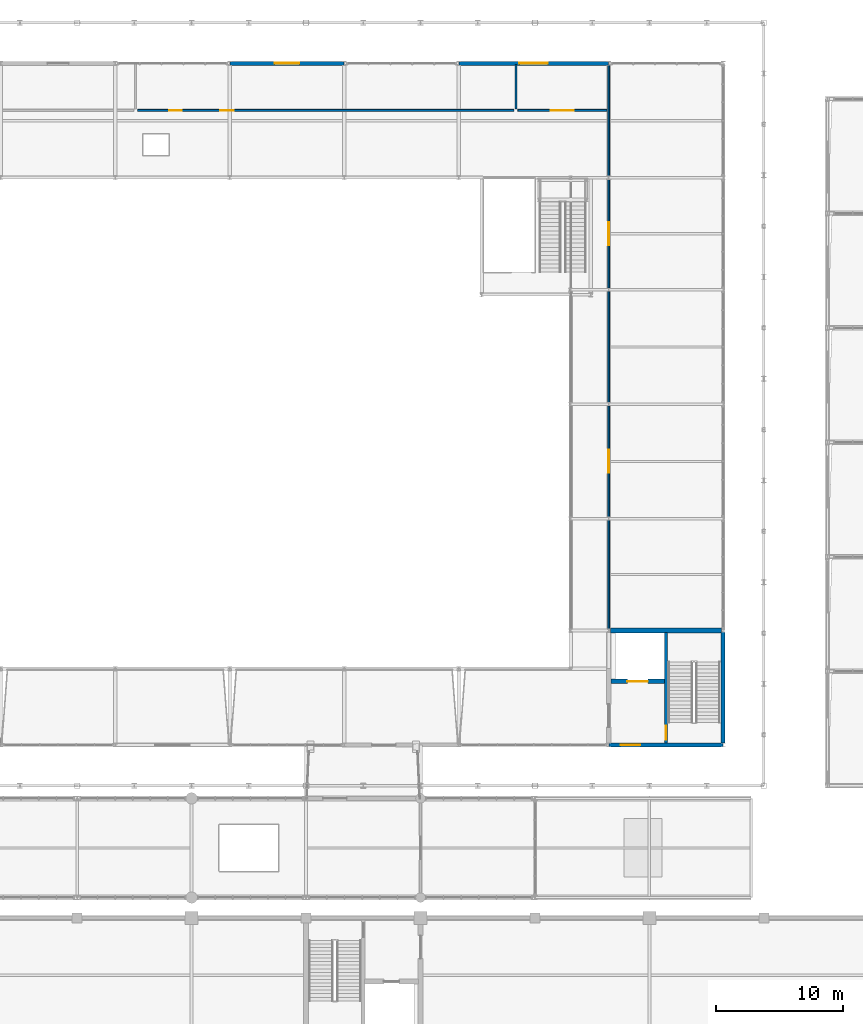
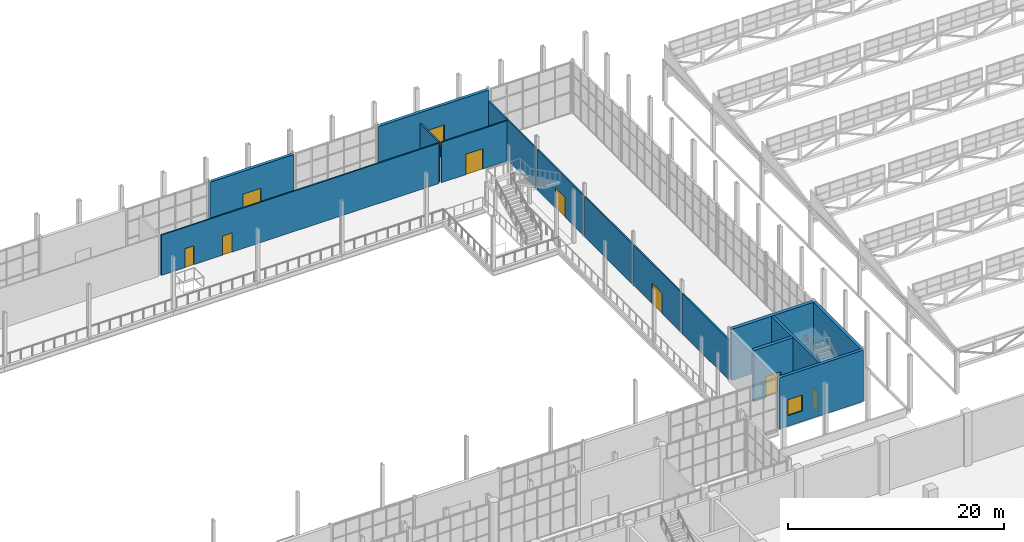
# One storey, part 128 of 159: 15 walls, 7 doors, 3 windows, 10 openings.
"""IFC4 building model written with IfcOpenShell, lengths in metres."""

import ifcopenshell
import ifcopenshell.guid

model = None  # the IFC model being written
_history = None  # IfcOwnerHistory: only IFC2X3 demands one
_inside = {}  # id of a spatial element -> (the spatial element, [elements in it])
_under = {}  # id of a project, library or spatial element -> (it, [spatial elements below it])
_declared = {}  # id of a project -> (the project, [libraries it declares])
_typed = {}  # id of a type object -> (the type object, [elements of that type])
_made_of = {}  # id of a material, layer set ... -> (it, [elements and type objects made of it])


def new_model(schema):
    """Start an empty IFC model of exactly this schema.

    Asked for "IFC4X3", IfcOpenShell would pick the latest addendum, in which some entities
    have other attributes; the version numbers below select the first issue.
    IFC2X3 requires an IfcOwnerHistory on every rooted entity: one is made here for all.
    """
    global model, _history
    if schema == "IFC4X3":
        model = ifcopenshell.file(schema_version=(4, 3, 0, 0))
    else:
        model = ifcopenshell.file(schema=schema)
    _inside.clear()
    _under.clear()
    _declared.clear()
    _typed.clear()
    _made_of.clear()
    _history = None
    if model.schema == "IFC2X3":
        org = make("IfcOrganization", Name="unknown")
        user = make(
            "IfcPersonAndOrganization",
            ThePerson=make("IfcPerson", FamilyName="unknown"),
            TheOrganization=org,
        )
        app = make(
            "IfcApplication",
            ApplicationDeveloper=org,
            Version="unknown",
            ApplicationFullName="unknown",
            ApplicationIdentifier="unknown",
        )
        _history = make(
            "IfcOwnerHistory",
            OwningUser=user,
            OwningApplication=app,
            ChangeAction="ADDED",
            CreationDate=0,
        )
    return model


def make(cls, **values):
    """One entity of the class cls with the attributes given. An attribute that is None is left unset."""
    return model.create_entity(
        cls, **{name: value for name, value in values.items() if value is not None}
    )


def rooted(cls, **values):
    """An entity with a GlobalId (a new one), such as an element, a storey or a relation."""
    return make(cls, GlobalId=ifcopenshell.guid.new(), OwnerHistory=_history, **values)


def si_unit(unit_type, name, prefix=None):
    """IfcSIUnit, for example si_unit("LENGTHUNIT", "METRE", prefix="MILLI")."""
    return make("IfcSIUnit", UnitType=unit_type, Prefix=prefix, Name=name)


def assignment(units):
    """IfcUnitAssignment: the units of a project."""
    return None if units is None else make("IfcUnitAssignment", Units=units)


def point(xyz):
    """IfcCartesianPoint."""
    return None if xyz is None else make("IfcCartesianPoint", Coordinates=xyz)


def direction(xyz):
    """IfcDirection."""
    return None if xyz is None else make("IfcDirection", DirectionRatios=xyz)


def frame(location, z_axis=None, x_axis=None):
    """IfcAxis2Placement3D, a coordinate frame: its origin and axes. An axis left out is left unset."""
    return make(
        "IfcAxis2Placement3D",
        Location=point(location),
        Axis=direction(z_axis),
        RefDirection=direction(x_axis),
    )


def frame_2d(location, x_axis=None):
    """IfcAxis2Placement2D, a coordinate frame in the plane: its origin and x axis."""
    return make(
        "IfcAxis2Placement2D", Location=point(location), RefDirection=direction(x_axis)
    )


def origin():
    """The frame at (0, 0, 0) with its axes left unset."""
    return frame((0.0, 0.0, 0.0))


def place(relative_to, where):
    """IfcLocalPlacement: puts the frame where relative to a parent placement (None: the world)."""
    return make(
        "IfcLocalPlacement", PlacementRelTo=relative_to, RelativePlacement=where
    )


def context(
    kind, dimensions, precision=None, world=None, true_north=None, identifier=None
):
    """IfcGeometricRepresentationContext, for example the 3D "Model" context."""
    return make(
        "IfcGeometricRepresentationContext",
        ContextIdentifier=identifier,
        ContextType=kind,
        CoordinateSpaceDimension=dimensions,
        Precision=precision,
        WorldCoordinateSystem=world,
        TrueNorth=true_north,
    )


def subcontext(parent, identifier, kind, view, scale=None):
    """IfcGeometricRepresentationSubContext, for example "Body" below "Model"."""
    return make(
        "IfcGeometricRepresentationSubContext",
        ContextIdentifier=identifier,
        ContextType=kind,
        ParentContext=parent,
        TargetScale=scale,
        TargetView=view,
    )


def project(units=None, contexts=None):
    """IfcProject with its units and contexts."""
    return rooted(
        "IfcProject",
        Name="project",
        RepresentationContexts=contexts,
        UnitsInContext=assignment(units),
    )


def spatial(cls, under=None, at=None, **own):
    """A site, building, storey or space (cls), placed at a placement, below another one or the project."""
    s = rooted(cls, ObjectPlacement=at, **own)
    if under is not None:
        _under.setdefault(under.id(), (under, []))[1].append(s)
    return s


def profile(cls, at=None, kind="AREA", **sizes):
    """A parametric profile (cls). Its sizes go by their IFC names, for example OverallWidth=200.0."""
    return make(cls, ProfileType=kind, Position=at, **sizes)


def rectangle(**sizes):
    """IfcRectangleProfileDef."""
    return profile("IfcRectangleProfileDef", **sizes)


def extrude(swept, where, along, depth):
    """IfcExtrudedAreaSolid: the profile swept, set in the frame where, extruded along a direction by depth."""
    return make(
        "IfcExtrudedAreaSolid",
        SweptArea=swept,
        Position=where,
        ExtrudedDirection=direction(along),
        Depth=depth,
    )


def shape(context_of_items, identifier, shape_type, items):
    """IfcShapeRepresentation: the items that make up one representation, for example the "Body"."""
    return make(
        "IfcShapeRepresentation",
        ContextOfItems=context_of_items,
        RepresentationIdentifier=identifier,
        RepresentationType=shape_type,
        Items=items,
    )


def material(Name=None, Category=None):
    """IfcMaterial."""
    return make("IfcMaterial", Name=Name, Category=Category)


def layer(
    of_material, thickness, ventilated=None, Name=None, Category=None, Priority=None
):
    """IfcMaterialLayer: one layer of a wall or slab, of a material (None: an air gap)."""
    return make(
        "IfcMaterialLayer",
        Material=of_material,
        LayerThickness=thickness,
        IsVentilated=ventilated,
        Name=Name,
        Category=Category,
        Priority=Priority,
    )


def layer_set(layers, Name=None):
    """IfcMaterialLayerSet."""
    return make("IfcMaterialLayerSet", MaterialLayers=layers, LayerSetName=Name)


def made_of(thing, what):
    """Note that an element or type object is made of a material, layer set ...; save() writes the relation."""
    if what is not None:
        _made_of.setdefault(what.id(), (what, []))[1].append(thing)
    return thing


def type_object(cls, material=None, **own):
    """A type object (cls), such as IfcWallType, which elements share."""
    return made_of(rooted(cls, **own), material)


def element(
    cls,
    number,
    at=None,
    inside=None,
    cuts=None,
    type_object=None,
    material=None,
    context=None,
    identifier="Body",
    shape_type=None,
    held_by="IfcProductDefinitionShape",
    body=None,
    shapes=None,
    **own,
):
    """One element of the class cls, such as IfcWall. Its Tag is "e" and its number.

    at: its placement. inside: the storey or other place that contains it. cuts: it is an
    opening in that element (IfcRelVoidsElement). A single representation is given by context,
    identifier, shape_type and body (its items); several are given by shapes. held_by: the class
    of the entity that holds the representations. save() writes the other relations.
    """
    e = rooted(cls, Tag="e%d" % number, ObjectPlacement=at, **own)
    if body is not None:
        shapes = [shape(context, identifier, shape_type, body)]
    if shapes is not None:
        e.Representation = make(held_by, Representations=shapes)
    if inside is not None:
        _inside.setdefault(inside.id(), (inside, []))[1].append(e)
    if cuts is not None:
        rooted(
            "IfcRelVoidsElement", RelatingBuildingElement=cuts, RelatedOpeningElement=e
        )
    if type_object is not None:
        _typed.setdefault(type_object.id(), (type_object, []))[1].append(e)
    return made_of(e, material)


def fill(opening, filler):
    """IfcRelFillsElement: the door or window that sits in an opening."""
    return rooted(
        "IfcRelFillsElement",
        RelatingOpeningElement=opening,
        RelatedBuildingElement=filler,
    )


def aggregate(whole, parts):
    """IfcRelAggregates: a whole, such as a stair, and the parts it consists of."""
    return rooted("IfcRelAggregates", RelatingObject=whole, RelatedObjects=parts)


def save(model, path):
    """Write the relations noted so far, then the file.

    IfcRelAggregates (storeys below a building ...), IfcRelContainedInSpatialStructure (elements
    in a storey), IfcRelDefinesByType, IfcRelAssociatesMaterial and IfcRelDeclares: one each for
    every whole, place, type object, material and project.
    """
    for whole, parts in _under.values():
        aggregate(whole, parts)
    for where, things in _inside.values():
        rooted(
            "IfcRelContainedInSpatialStructure",
            RelatedElements=things,
            RelatingStructure=where,
        )
    for kind, things in _typed.values():
        rooted("IfcRelDefinesByType", RelatedObjects=things, RelatingType=kind)
    for what, things in _made_of.values():
        rooted("IfcRelAssociatesMaterial", RelatedObjects=things, RelatingMaterial=what)
    for by, libraries in _declared.values():
        rooted("IfcRelDeclares", RelatingContext=by, RelatedDefinitions=libraries)
    model.write(path)


model = new_model("IFC4")

# Units and contexts
model_context = context("Model", 3, precision=1e-05, world=origin(), true_north=direction((0.0, 1.0)))
body_context = subcontext(model_context, "Body", "Model", "MODEL_VIEW")
ifc_project = project(units=[si_unit("LENGTHUNIT", "METRE"), si_unit("AREAUNIT", "SQUARE_METRE"), si_unit("VOLUMEUNIT", "CUBIC_METRE"), si_unit("PLANEANGLEUNIT", "RADIAN"), si_unit("MASSUNIT", "GRAM", prefix="KILO")], contexts=[model_context])

# Site, building, storey
site_placement = place(None, origin())
site = spatial("IfcSite", under=ifc_project, at=site_placement, CompositionType="ELEMENT")
building_placement = place(site_placement, origin())
building = spatial("IfcBuilding", under=site, at=building_placement, Name="Cazmaro Siding Exhibition Halls", CompositionType="ELEMENT")
storey_placement = place(building_placement, frame((0.0, 0.0, 6.0)))
storey = spatial("IfcBuildingStorey", under=building, at=storey_placement, Name="L01", CompositionType="ELEMENT", Elevation=6.0)

# Wall, opening, window
ifc_material_1 = material(Name="Concrete f'c 45 MPa", Category="concrete")
ifc_layer_1 = layer(ifc_material_1, 0.320068359375)
ifc_layer_set_1 = layer_set([ifc_layer_1], Name="Concrete f'c 45 MPa")
wall_type_1 = type_object("IfcWallType", Name="EW-01", PredefinedType="STANDARD", material=ifc_layer_set_1)
wall_1_placement = place(storey_placement, frame((129.011962890625, 120.800048828125, 0.0), z_axis=(0.0, 0.0, 1.0), x_axis=(1.0, 0.0, 0.0)))
wall_1 = element("IfcWall", 1, at=wall_1_placement, inside=storey, type_object=wall_type_1, Name="Hall A North Gallery Wall EW-01 WL-E0021", PredefinedType="STANDARD", context=body_context, shape_type="SweptSolid", body=[
    extrude(rectangle(XDim=8.97607421875, YDim=0.320068359375, at=frame_2d((4.488037109375, 0.0))), origin(), (0.0, 0.0, 1.0), 5.780029296875),
])
opening_1_placement = place(wall_1_placement, frame((3.512939453125, 0.0, 1.10009765625)))
opening_1 = element("IfcOpeningElement", 2, at=opening_1_placement, cuts=wall_1, Name="Opening W-013", PredefinedType="OPENING", context=body_context, shape_type="SweptSolid", body=[
    extrude(rectangle(XDim=1.949951171875, YDim=2.10009765625, at=frame_2d((0.97509765625, 1.050048828125))), frame((0.0, 0.169921875, 0.0), z_axis=(0.0, -1.0, 0.0), x_axis=(1.0, 0.0, 0.0)), (0.0, 0.0, 1.0), 0.340087890625),
])
ifc_material_2 = material(Name="Thermally Broken Aluminum Low-E Window Unit", Category="aluminium")
window_type_1 = type_object("IfcWindowType", Name="WT-04", PartitioningType="SINGLE_PANEL", PredefinedType="WINDOW", material=ifc_material_2)
window_1_placement = place(opening_1_placement, origin())
window_1 = element("IfcWindow", 3, at=window_1_placement, inside=storey, type_object=window_type_1, Name="Window W-013 (WT-04)", OverallHeight=2.10009765625, OverallWidth=1.949951171875, PartitioningType="SINGLE_PANEL", PredefinedType="WINDOW", context=body_context, shape_type="SweptSolid", body=[
    extrude(rectangle(XDim=1.949951171875, YDim=2.10009765625, at=frame_2d((0.97509765625, 1.050048828125))), frame((0.0, 0.030029296875, 0.0), z_axis=(0.0, -1.0, 0.0), x_axis=(1.0, 0.0, 0.0)), (0.0, 0.0, 1.0), 0.06005859375),
])
fill(opening_1, window_1)

wall_2_placement = place(storey_placement, frame((147.011962890625, 120.800048828125, 0.0), z_axis=(0.0, 0.0, 1.0), x_axis=(1.0, 0.0, 0.0)))
wall_2 = element("IfcWall", 4, at=wall_2_placement, inside=storey, type_object=wall_type_1, Name="Hall A North Gallery Wall EW-01 WL-E0025", PredefinedType="STANDARD", context=body_context, shape_type="SweptSolid", body=[
    extrude(rectangle(XDim=11.776123046875, YDim=0.320068359375, at=frame_2d((5.88818359375, 0.0))), origin(), (0.0, 0.0, 1.0), 5.780029296875),
])
opening_2_placement = place(wall_2_placement, frame((4.762939453125, 0.0, 1.10009765625)))
opening_2 = element("IfcOpeningElement", 5, at=opening_2_placement, cuts=wall_2, Name="Opening W-014", PredefinedType="OPENING", context=body_context, shape_type="SweptSolid", body=[
    extrude(rectangle(XDim=2.25, YDim=2.39990234375, at=frame_2d((1.125, 1.199951171875))), frame((0.0, 0.169921875, 0.0), z_axis=(0.0, -1.0, 0.0), x_axis=(1.0, 0.0, 0.0)), (0.0, 0.0, 1.0), 0.340087890625),
])
ifc_material_3 = material(Name="Thermally Broken Aluminum Low-E Window Unit", Category="aluminium")
window_type_2 = type_object("IfcWindowType", Name="WT-06", PartitioningType="SINGLE_PANEL", PredefinedType="WINDOW", material=ifc_material_3)
window_2_placement = place(opening_2_placement, origin())
window_2 = element("IfcWindow", 6, at=window_2_placement, inside=storey, type_object=window_type_2, Name="Window W-014 (WT-06)", OverallHeight=2.39990234375, OverallWidth=2.25, PartitioningType="SINGLE_PANEL", PredefinedType="WINDOW", context=body_context, shape_type="SweptSolid", body=[
    extrude(rectangle(XDim=2.25, YDim=2.39990234375, at=frame_2d((1.125, 1.199951171875))), frame((0.0, 0.030029296875, 0.0), z_axis=(0.0, -1.0, 0.0), x_axis=(1.0, 0.0, 0.0)), (0.0, 0.0, 1.0), 0.06005859375),
])
fill(opening_2, window_2)

wall_3_placement = place(storey_placement, frame((167.7880859375, 67.199951171875, 0.0), z_axis=(0.0, 0.0, 1.0), x_axis=(-1.0, 0.0, 0.0)))
wall_3 = element("IfcWall", 7, at=wall_3_placement, inside=storey, type_object=wall_type_1, Name="Hall A South Core Bay Wall EW-01 WL-E0027", PredefinedType="STANDARD", context=body_context, shape_type="SweptSolid", body=[
    extrude(rectangle(XDim=8.97607421875, YDim=0.320068359375, at=frame_2d((4.488037109375, 0.0))), origin(), (0.0, 0.0, 1.0), 5.780029296875),
])
opening_3_placement = place(wall_3_placement, frame((6.52587890625, 0.0, 1.199951171875)))
opening_3 = element("IfcOpeningElement", 8, at=opening_3_placement, cuts=wall_3, Name="Opening W-015", PredefinedType="OPENING", context=body_context, shape_type="SweptSolid", body=[
    extrude(rectangle(XDim=1.5, YDim=1.800048828125, at=frame_2d((0.75, 0.89990234375))), frame((0.0, 0.169921875, 0.0), z_axis=(0.0, -1.0, 0.0), x_axis=(1.0, 0.0, 0.0)), (0.0, 0.0, 1.0), 0.340087890625),
])
ifc_material_4 = material(Name="Thermally Broken Aluminum Low-E Window Unit", Category="aluminium")
window_type_3 = type_object("IfcWindowType", Name="WT-01", PartitioningType="SINGLE_PANEL", PredefinedType="WINDOW", material=ifc_material_4)
window_3_placement = place(opening_3_placement, origin())
window_3 = element("IfcWindow", 9, at=window_3_placement, inside=storey, type_object=window_type_3, Name="Window W-015 (WT-01)", OverallHeight=1.800048828125, OverallWidth=1.5, PartitioningType="SINGLE_PANEL", PredefinedType="WINDOW", context=body_context, shape_type="SweptSolid", body=[
    extrude(rectangle(XDim=1.5, YDim=1.800048828125, at=frame_2d((0.75, 0.89990234375))), frame((0.0, 0.030029296875, 0.0), z_axis=(0.0, -1.0, 0.0), x_axis=(1.0, 0.0, 0.0)), (0.0, 0.0, 1.0), 0.06005859375),
])
fill(opening_3, window_3)

# Wall
wall_4_placement = place(storey_placement, frame((167.800048828125, 76.073974609375, 0.0), z_axis=(0.0, 0.0, 1.0), x_axis=(0.0, -1.0, 0.0)))
element("IfcWall", 10, at=wall_4_placement, inside=storey, type_object=wall_type_1, Name="Hall A Core End Wall L01 EW-01 WL-E0034", PredefinedType="STANDARD", context=body_context, shape_type="SweptSolid", body=[
    extrude(rectangle(XDim=8.72705078125, YDim=0.320068359375, at=frame_2d((4.363525390625, 0.0))), origin(), (0.0, 0.0, 1.0), 5.780029296875),
])

# Wall, openings, doors
ifc_material_5 = material(Name="Fire-Rated Gypsum Board on Cold-Formed Steel Studs", Category="steel")
ifc_layer_2 = layer(ifc_material_5, 0.14501953125)
ifc_layer_set_2 = layer_set([ifc_layer_2], Name="Fire-Rated Gypsum Board on Cold-Formed Steel Studs")
wall_type_2 = type_object("IfcWallType", Name="PW-01", PredefinedType="PARTITIONING", material=ifc_layer_set_2)
wall_5_placement = place(storey_placement, frame((121.75, 117.10009765625, 0.0), z_axis=(0.0, 0.0, 1.0), x_axis=(1.0, 0.0, 0.0)))
wall_5 = element("IfcWall", 11, at=wall_5_placement, inside=storey, type_object=wall_type_2, Name="Hall A North Gallery Corridor Wall L01 PW-01 WL-I0288", PredefinedType="PARTITIONING", context=body_context, shape_type="SweptSolid", body=[
    extrude(rectangle(XDim=29.60009765625, YDim=0.14501953125, at=frame_2d((14.800048828125, 0.0))), origin(), (0.0, 0.0, 1.0), 4.550048828125),
])
opening_4_placement = place(wall_5_placement, frame((2.5, 0.0, 0.0)))
opening_4 = element("IfcOpeningElement", 12, at=opening_4_placement, cuts=wall_5, Name="Opening D-I138", PredefinedType="OPENING", context=body_context, shape_type="SweptSolid", body=[
    extrude(rectangle(XDim=0.97998046875, YDim=2.14990234375, at=frame_2d((0.489990234375, 1.074951171875))), frame((0.0, 0.08251953125, 0.0), z_axis=(0.0, -1.0, 0.0), x_axis=(1.0, 0.0, 0.0)), (0.0, 0.0, 1.0), 0.1650390625),
])
opening_5_placement = place(wall_5_placement, frame((6.5, 0.0, 0.0)))
opening_5 = element("IfcOpeningElement", 13, at=opening_5_placement, cuts=wall_5, Name="Opening D-I139", PredefinedType="OPENING", context=body_context, shape_type="SweptSolid", body=[
    extrude(rectangle(XDim=1.050048828125, YDim=2.179931640625, at=frame_2d((0.52490234375, 1.08984375))), frame((0.0, 0.08251953125, 0.0), z_axis=(0.0, -1.0, 0.0), x_axis=(1.0, 0.0, 0.0)), (0.0, 0.0, 1.0), 0.1650390625),
])
ifc_material_6 = material(Name="Fire-Rated Painted Hollow Metal Door", Category="steel")
door_type_1 = type_object("IfcDoorType", Name="ID-03", OperationType="NOTDEFINED", PredefinedType="DOOR", material=ifc_material_6)
door_1_placement = place(opening_4_placement, origin())
door_1 = element("IfcDoor", 14, at=door_1_placement, inside=storey, type_object=door_type_1, Name="Interior door D-I138 (ID-03)", OperationType="SINGLE_SWING_RIGHT", OverallHeight=2.14990234375, OverallWidth=0.97998046875, PredefinedType="DOOR", context=body_context, shape_type="SweptSolid", body=[
    extrude(rectangle(XDim=0.97998046875, YDim=2.14990234375, at=frame_2d((0.489990234375, 1.074951171875))), frame((0.0, 0.02490234375, 0.0), z_axis=(0.0, -1.0, 0.0), x_axis=(1.0, 0.0, 0.0)), (0.0, 0.0, 1.0), 0.050048828125),
])
fill(opening_4, door_1)
ifc_material_7 = material(Name="Fire-Rated Painted Hollow Metal Door", Category="steel")
door_type_2 = type_object("IfcDoorType", Name="ID-06", OperationType="NOTDEFINED", PredefinedType="DOOR", material=ifc_material_7)
door_2_placement = place(opening_5_placement, origin())
door_2 = element("IfcDoor", 15, at=door_2_placement, inside=storey, type_object=door_type_2, Name="Interior door D-I139 (ID-06)", OperationType="SINGLE_SWING_LEFT", OverallHeight=2.179931640625, OverallWidth=1.050048828125, PredefinedType="DOOR", context=body_context, shape_type="SweptSolid", body=[
    extrude(rectangle(XDim=1.050048828125, YDim=2.179931640625, at=frame_2d((0.52490234375, 1.08984375))), frame((0.0, 0.02490234375, 0.0), z_axis=(0.0, -1.0, 0.0), x_axis=(1.0, 0.0, 0.0)), (0.0, 0.0, 1.0), 0.050048828125),
])
fill(opening_5, door_2)

# Wall, opening, door
wall_6_placement = place(storey_placement, frame((151.64990234375, 117.10009765625, 0.0), z_axis=(0.0, 0.0, 1.0), x_axis=(1.0, 0.0, 0.0)))
wall_6 = element("IfcWall", 16, at=wall_6_placement, inside=storey, type_object=wall_type_2, Name="Hall A North Gallery Corridor Wall L01 PW-01 WL-I0289", PredefinedType="PARTITIONING", context=body_context, shape_type="SweptSolid", body=[
    extrude(rectangle(XDim=7.0, YDim=0.14501953125, at=frame_2d((3.5, 0.0))), origin(), (0.0, 0.0, 1.0), 4.550048828125),
])
opening_6_placement = place(wall_6_placement, frame((2.60009765625, 0.0, 0.0)))
opening_6 = element("IfcOpeningElement", 17, at=opening_6_placement, cuts=wall_6, Name="Opening D-I140", PredefinedType="OPENING", context=body_context, shape_type="SweptSolid", body=[
    extrude(rectangle(XDim=1.800048828125, YDim=2.300048828125, at=frame_2d((0.89990234375, 1.14990234375))), frame((0.0, 0.08251953125, 0.0), z_axis=(0.0, -1.0, 0.0), x_axis=(1.0, 0.0, 0.0)), (0.0, 0.0, 1.0), 0.1650390625),
])
ifc_material_8 = material(Name="Fire-Rated Painted Hollow Metal Door", Category="steel")
door_type_3 = type_object("IfcDoorType", Name="ID-02", OperationType="DOUBLE_DOOR_SINGLE_SWING", PredefinedType="DOOR", material=ifc_material_8)
door_3_placement = place(opening_6_placement, origin())
door_3 = element("IfcDoor", 18, at=door_3_placement, inside=storey, type_object=door_type_3, Name="Interior door D-I140 (ID-02)", OperationType="DOUBLE_DOOR_SINGLE_SWING", OverallHeight=2.300048828125, OverallWidth=1.800048828125, PredefinedType="DOOR", context=body_context, shape_type="SweptSolid", body=[
    extrude(rectangle(XDim=1.800048828125, YDim=2.300048828125, at=frame_2d((0.89990234375, 1.14990234375))), frame((0.0, 0.02490234375, 0.0), z_axis=(0.0, -1.0, 0.0), x_axis=(1.0, 0.0, 0.0)), (0.0, 0.0, 1.0), 0.050048828125),
])
fill(opening_6, door_3)

# Wall
wall_7_placement = place(storey_placement, frame((158.800048828125, 76.326904296875, 0.0), z_axis=(0.0, 0.0, 1.0), x_axis=(0.0, 1.0, 0.0)))
element("IfcWall", 19, at=wall_7_placement, inside=storey, type_object=wall_type_2, Name="Hall A East Mezzanine Suite Wall L01 PW-01 WL-I0295", PredefinedType="PARTITIONING", context=body_context, shape_type="SweptSolid", body=[
    extrude(rectangle(XDim=8.546142578125, YDim=0.14501953125, at=frame_2d((4.27294921875, 0.0))), origin(), (0.0, 0.0, 1.0), 4.550048828125),
])

# Wall, opening, door
wall_8_placement = place(storey_placement, frame((158.800048828125, 85.126953125, 0.0), z_axis=(0.0, 0.0, 1.0), x_axis=(0.0, 1.0, 0.0)))
wall_8 = element("IfcWall", 20, at=wall_8_placement, inside=storey, type_object=wall_type_2, Name="Hall A East Mezzanine Suite Wall L01 PW-01 WL-I0297", PredefinedType="PARTITIONING", context=body_context, shape_type="SweptSolid", body=[
    extrude(rectangle(XDim=8.74609375, YDim=0.14501953125, at=frame_2d((4.373046875, 0.0))), origin(), (0.0, 0.0, 1.0), 4.550048828125),
])
opening_7_placement = place(wall_8_placement, frame((3.472900390625, 0.0, 0.0)))
opening_7 = element("IfcOpeningElement", 21, at=opening_7_placement, cuts=wall_8, Name="Opening D-I142", PredefinedType="OPENING", context=body_context, shape_type="SweptSolid", body=[
    extrude(rectangle(XDim=1.800048828125, YDim=2.300048828125, at=frame_2d((0.89990234375, 1.14990234375))), frame((0.0, 0.08251953125, 0.0), z_axis=(0.0, -1.0, 0.0), x_axis=(1.0, 0.0, 0.0)), (0.0, 0.0, 1.0), 0.1650390625),
])
door_4_placement = place(opening_7_placement, origin())
door_4 = element("IfcDoor", 22, at=door_4_placement, inside=storey, type_object=door_type_3, Name="Interior door D-I142 (ID-02)", OperationType="DOUBLE_DOOR_SINGLE_SWING", OverallHeight=2.300048828125, OverallWidth=1.800048828125, PredefinedType="DOOR", context=body_context, shape_type="SweptSolid", body=[
    extrude(rectangle(XDim=1.800048828125, YDim=2.300048828125, at=frame_2d((0.89990234375, 1.14990234375))), frame((0.0, 0.02490234375, 0.0), z_axis=(0.0, -1.0, 0.0), x_axis=(1.0, 0.0, 0.0)), (0.0, 0.0, 1.0), 0.050048828125),
])
fill(opening_7, door_4)

# Wall
wall_9_placement = place(storey_placement, frame((158.800048828125, 94.126953125, 0.0), z_axis=(0.0, 0.0, 1.0), x_axis=(0.0, 1.0, 0.0)))
element("IfcWall", 23, at=wall_9_placement, inside=storey, type_object=wall_type_2, Name="Hall A East Mezzanine Suite Wall L01 PW-01 WL-I0299", PredefinedType="PARTITIONING", context=body_context, shape_type="SweptSolid", body=[
    extrude(rectangle(XDim=8.74609375, YDim=0.14501953125, at=frame_2d((4.373046875, 0.0))), origin(), (0.0, 0.0, 1.0), 4.550048828125),
])

# Wall, opening, door
wall_10_placement = place(storey_placement, frame((158.800048828125, 103.126953125, 0.0), z_axis=(0.0, 0.0, 1.0), x_axis=(0.0, 1.0, 0.0)))
wall_10 = element("IfcWall", 24, at=wall_10_placement, inside=storey, type_object=wall_type_2, Name="Hall A East Mezzanine Suite Wall L01 PW-01 WL-I0301", PredefinedType="PARTITIONING", context=body_context, shape_type="SweptSolid", body=[
    extrude(rectangle(XDim=8.525146484375, YDim=0.14501953125, at=frame_2d((4.2626953125, 0.0))), origin(), (0.0, 0.0, 1.0), 4.550048828125),
])
opening_8_placement = place(wall_10_placement, frame((3.363037109375, 0.0, 0.0)))
opening_8 = element("IfcOpeningElement", 25, at=opening_8_placement, cuts=wall_10, Name="Opening D-I144", PredefinedType="OPENING", context=body_context, shape_type="SweptSolid", body=[
    extrude(rectangle(XDim=1.800048828125, YDim=2.300048828125, at=frame_2d((0.89990234375, 1.14990234375))), frame((0.0, 0.08251953125, 0.0), z_axis=(0.0, -1.0, 0.0), x_axis=(1.0, 0.0, 0.0)), (0.0, 0.0, 1.0), 0.1650390625),
])
door_5_placement = place(opening_8_placement, origin())
door_5 = element("IfcDoor", 26, at=door_5_placement, inside=storey, type_object=door_type_3, Name="Interior door D-I144 (ID-02)", OperationType="DOUBLE_DOOR_SINGLE_SWING", OverallHeight=2.300048828125, OverallWidth=1.800048828125, PredefinedType="DOOR", context=body_context, shape_type="SweptSolid", body=[
    extrude(rectangle(XDim=1.800048828125, YDim=2.300048828125, at=frame_2d((0.89990234375, 1.14990234375))), frame((0.0, 0.02490234375, 0.0), z_axis=(0.0, -1.0, 0.0), x_axis=(1.0, 0.0, 0.0)), (0.0, 0.0, 1.0), 0.050048828125),
])
fill(opening_8, door_5)

# Walls
wall_11_placement = place(storey_placement, frame((158.800048828125, 111.947998046875, 0.0), z_axis=(0.0, 0.0, 1.0), x_axis=(0.0, 1.0, 0.0)))
element("IfcWall", 27, at=wall_11_placement, inside=storey, type_object=wall_type_2, Name="Hall A East Mezzanine Suite Wall L01 PW-01 WL-I0303", PredefinedType="PARTITIONING", context=body_context, shape_type="SweptSolid", body=[
    extrude(rectangle(XDim=8.7041015625, YDim=0.14501953125, at=frame_2d((4.35205078125, 0.0))), origin(), (0.0, 0.0, 1.0), 4.550048828125),
])
ifc_material_9 = material(Name="Moisture-Resistant Gypsum Board on Acoustic Steel Studs", Category="steel")
ifc_layer_3 = layer(ifc_material_9, 0.1650390625)
ifc_layer_set_3 = layer_set([ifc_layer_3], Name="Moisture-Resistant Gypsum Board on Acoustic Steel Studs")
wall_type_3 = type_object("IfcWallType", Name="PW-02", PredefinedType="PARTITIONING", material=ifc_layer_set_3)
wall_12_placement = place(storey_placement, frame((151.5, 117.199951171875, 0.0), z_axis=(0.0, 0.0, 1.0), x_axis=(0.0, 1.0, 0.0)))
element("IfcWall", 28, at=wall_12_placement, inside=storey, type_object=wall_type_3, Name="Hall A North Room Divider L01 PW-02 WL-I0293", PredefinedType="PARTITIONING", context=body_context, shape_type="SweptSolid", body=[
    extrude(rectangle(XDim=3.52001953125, YDim=0.1650390625, at=frame_2d((1.760009765625, 0.0))), origin(), (0.0, 0.0, 1.0), 4.550048828125),
])
ifc_material_10 = material(Name="Concrete f'c 50 MPa", Category="concrete")
ifc_layer_4 = layer(ifc_material_10, 0.360107421875)
ifc_layer_set_4 = layer_set([ifc_layer_4], Name="Concrete f'c 50 MPa")
wall_type_4 = type_object("IfcWallType", Name="SW-01", PredefinedType="SHEAR", material=ifc_layer_set_4)
wall_13_placement = place(storey_placement, frame((158.924072265625, 76.199951171875, 0.0), z_axis=(0.0, 0.0, 1.0), x_axis=(1.0, 0.0, 0.0)))
element("IfcWall", 29, at=wall_13_placement, inside=storey, type_object=wall_type_4, Name="Core C2 North Shear Wall SW-01 WL-I0018", PredefinedType="SHEAR", context=body_context, shape_type="SweptSolid", body=[
    extrude(rectangle(XDim=8.751953125, YDim=0.360107421875, at=frame_2d((4.3759765625, 0.0))), origin(), (0.0, 0.0, 1.0), 5.780029296875),
])

# Wall, opening, door
wall_14_placement = place(storey_placement, frame((158.965087890625, 72.199951171875, 0.0), z_axis=(0.0, 0.0, 1.0), x_axis=(1.0, 0.0, 0.0)))
wall_14 = element("IfcWall", 30, at=wall_14_placement, inside=storey, type_object=wall_type_4, Name="Core C2 Lift Shaft Wall SW-01 WL-I0020", PredefinedType="SHEAR", context=body_context, shape_type="SweptSolid", body=[
    extrude(rectangle(XDim=4.219970703125, YDim=0.360107421875, at=frame_2d((2.10986328125, 0.0))), origin(), (0.0, 0.0, 1.0), 5.780029296875),
])
opening_9_placement = place(wall_14_placement, frame((1.31005859375, 0.0, 0.0)))
opening_9 = element("IfcOpeningElement", 31, at=opening_9_placement, cuts=wall_14, Name="Opening LD-005", PredefinedType="OPENING", context=body_context, shape_type="SweptSolid", body=[
    extrude(rectangle(XDim=1.60009765625, YDim=2.39990234375, at=frame_2d((0.800048828125, 1.199951171875))), frame((0.0, 0.18994140625, 0.0), z_axis=(0.0, -1.0, 0.0), x_axis=(1.0, 0.0, 0.0)), (0.0, 0.0, 1.0), 0.380126953125),
])
ifc_material_11 = material(Name="Stainless Steel Elevator Landing Door", Category="steel")
door_type_4 = type_object("IfcDoorType", Name="LD-02", OperationType="DOUBLE_DOOR_SLIDING", PredefinedType="DOOR", material=ifc_material_11)
door_6_placement = place(opening_9_placement, origin())
door_6 = element("IfcDoor", 32, at=door_6_placement, inside=storey, type_object=door_type_4, Name="Interior door LD-005 (LD-02)", OperationType="DOUBLE_DOOR_SLIDING", OverallHeight=2.39990234375, OverallWidth=1.60009765625, PredefinedType="DOOR", context=body_context, shape_type="SweptSolid", body=[
    extrude(rectangle(XDim=1.60009765625, YDim=2.39990234375, at=frame_2d((0.800048828125, 1.199951171875))), frame((0.0, 0.02490234375, 0.0), z_axis=(0.0, -1.0, 0.0), x_axis=(1.0, 0.0, 0.0)), (0.0, 0.0, 1.0), 0.050048828125),
])
fill(opening_9, door_6)

ifc_material_12 = material(Name="Concrete f'c 50 MPa", Category="concrete")
ifc_layer_5 = layer(ifc_material_12, 0.25)
ifc_layer_set_5 = layer_set([ifc_layer_5], Name="Concrete f'c 50 MPa")
wall_type_5 = type_object("IfcWallType", Name="SW-02", PredefinedType="SHEAR", material=ifc_layer_set_5)
wall_15_placement = place(storey_placement, frame((163.300048828125, 76.034912109375, 0.0), z_axis=(0.0, 0.0, 1.0), x_axis=(0.0, -1.0, 0.0)))
wall_15 = element("IfcWall", 33, at=wall_15_placement, inside=storey, type_object=wall_type_5, Name="Core C2 Stair-Lobby Divider SW-02 WL-I0019", PredefinedType="SHEAR", context=body_context, shape_type="SweptSolid", body=[
    extrude(rectangle(XDim=8.669921875, YDim=0.25, at=frame_2d((4.3349609375, 0.0))), origin(), (0.0, 0.0, 1.0), 5.780029296875),
])
opening_10_placement = place(wall_15_placement, frame((7.320068359375, 0.0, 0.0)))
opening_10 = element("IfcOpeningElement", 34, at=opening_10_placement, cuts=wall_15, Name="Opening D-I009", PredefinedType="OPENING", context=body_context, shape_type="SweptSolid", body=[
    extrude(rectangle(XDim=1.10009765625, YDim=2.199951171875, at=frame_2d((0.550048828125, 1.10009765625))), frame((0.0, 0.135009765625, 0.0), z_axis=(0.0, -1.0, 0.0), x_axis=(1.0, 0.0, 0.0)), (0.0, 0.0, 1.0), 0.27001953125),
])
ifc_material_13 = material(Name="Fire-Rated Painted Hollow Metal Door", Category="steel")
door_type_5 = type_object("IfcDoorType", Name="ID-01", OperationType="NOTDEFINED", PredefinedType="DOOR", material=ifc_material_13)
door_7_placement = place(opening_10_placement, origin())
door_7 = element("IfcDoor", 35, at=door_7_placement, inside=storey, type_object=door_type_5, Name="Interior door D-I009 (ID-01)", OperationType="SINGLE_SWING_LEFT", OverallHeight=2.199951171875, OverallWidth=1.10009765625, PredefinedType="DOOR", context=body_context, shape_type="SweptSolid", body=[
    extrude(rectangle(XDim=1.10009765625, YDim=2.199951171875, at=frame_2d((0.550048828125, 1.10009765625))), frame((0.0, 0.02490234375, 0.0), z_axis=(0.0, -1.0, 0.0), x_axis=(1.0, 0.0, 0.0)), (0.0, 0.0, 1.0), 0.050048828125),
])
fill(opening_10, door_7)

save(model, "model.ifc")
